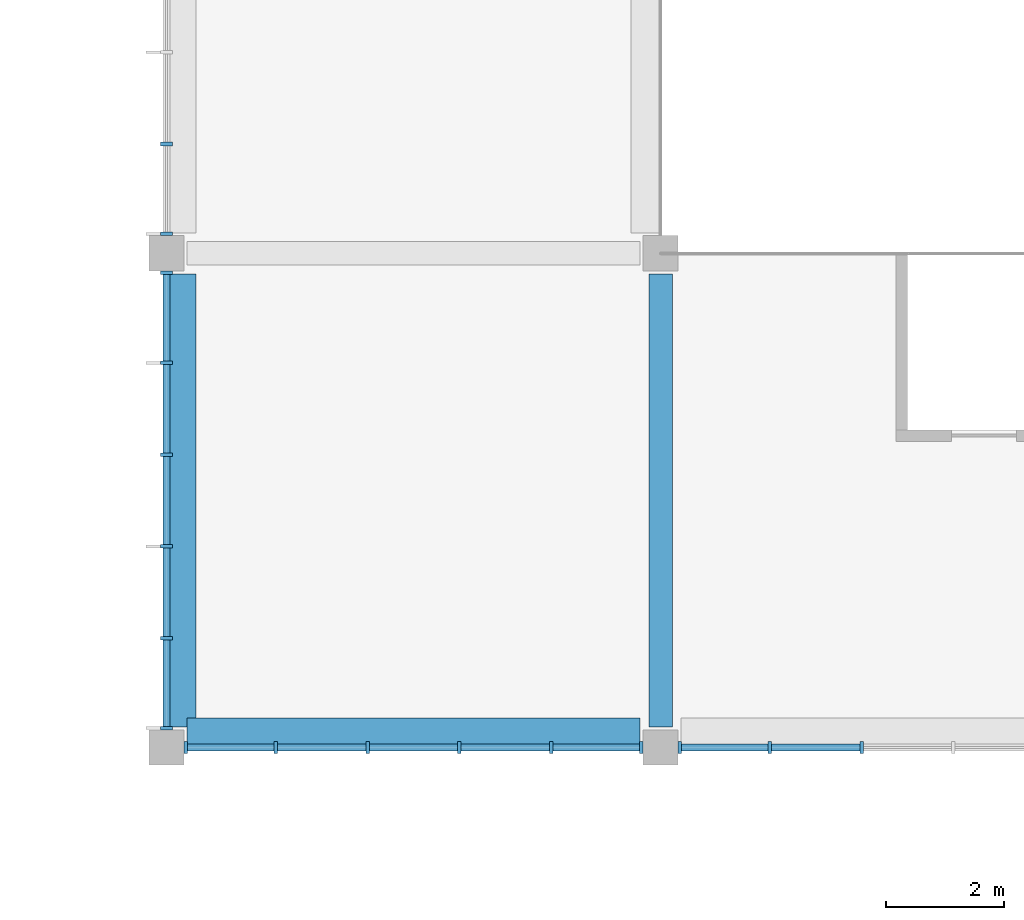
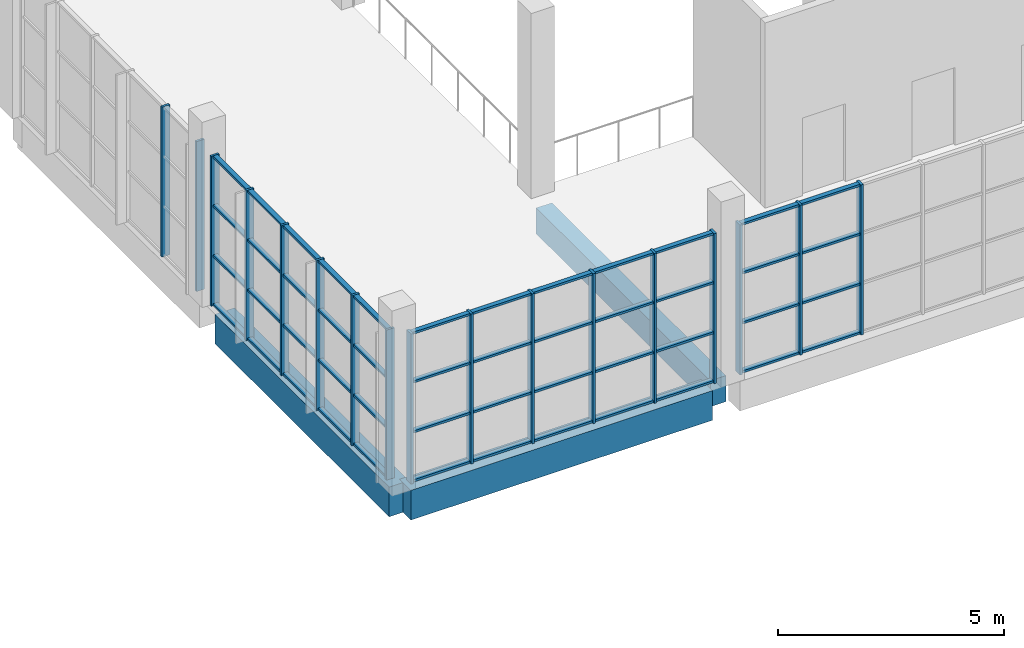
# One storey, part 6 of 59: 65 members, 3 beams, 4 elements without a shape of their own.
"""IFC4 building model written with IfcOpenShell, lengths in metres."""

from ifc_helpers import new_model, si_unit, direction, frame, origin, origin_2d, place, context, subcontext, project, spatial, rectangle, extrude, material, material_profile, profile_set, type_object, element, aggregate, save


model = new_model("IFC4")

# Units and contexts
model_context = context("Model", 3, precision=1e-05, world=origin(), true_north=direction((0.0, 1.0)))
body_context = subcontext(model_context, "Body", "Model", "MODEL_VIEW")
ifc_project = project(units=[si_unit("LENGTHUNIT", "METRE"), si_unit("AREAUNIT", "SQUARE_METRE"), si_unit("VOLUMEUNIT", "CUBIC_METRE"), si_unit("PLANEANGLEUNIT", "RADIAN"), si_unit("MASSUNIT", "GRAM", prefix="KILO")], contexts=[model_context])

# Site, building, storey
site_placement = place(None, origin())
site = spatial("IfcSite", under=ifc_project, at=site_placement, CompositionType="ELEMENT")
building_placement = place(site_placement, origin())
building = spatial("IfcBuilding", under=site, at=building_placement, Name="Almond Square Museum", CompositionType="ELEMENT")
storey_placement = place(building_placement, frame((0.0, 0.0, 25.0)))
storey = spatial("IfcBuildingStorey", under=building, at=storey_placement, Name="L04", CompositionType="ELEMENT", Elevation=25.0)

# Curtain wall, members
ifc_material_1 = material(Name="Aluminium and laminated glass", Category="aluminium")
curtain_wall_type = type_object("IfcCurtainWallType", Name="Unitised curtain wall 1500 module", PredefinedType="NOTDEFINED", material=ifc_material_1)
curtain_wall_1_placement = place(storey_placement, origin())
curtain_wall_1 = element("IfcCurtainWall", 1, at=curtain_wall_1_placement, inside=storey, type_object=curtain_wall_type, Name="Curtain wall CW-45", PredefinedType="NOTDEFINED")
ifc_material_2 = material(Name="Anodised aluminium", Category="aluminium")
ifc_material_profile_1 = material_profile(ifc_material_2, rectangle(XDim=0.199951171875, YDim=0.06005859375, at=origin_2d()))
ifc_profile_set_1 = profile_set([ifc_material_profile_1], Name="Anodised aluminium")
member_type_1 = type_object("IfcMemberType", Name="Aluminium mullion 60 x 200", PredefinedType="MULLION", material=ifc_profile_set_1)
member_1_placement = place(storey_placement, frame((73.199951171875, 75.929931640625, 0.0), z_axis=(0.0, 0.0, 1.0), x_axis=(-1.0, 0.0, 0.0)))
member_1 = element("IfcMember", 2, at=member_1_placement, type_object=member_type_1, Name="CW-45 mullion 1", PredefinedType="MULLION", context=body_context, shape_type="SweptSolid", body=[
    extrude(rectangle(XDim=0.199951171875, YDim=0.06005859375, at=origin_2d()), origin(), (0.0, 0.0, 1.0), 4.050048828125),
])
member_2_placement = place(storey_placement, frame((73.199951171875, 77.4599609375, 0.0), z_axis=(0.0, 0.0, 1.0), x_axis=(-1.0, 0.0, 0.0)))
member_2 = element("IfcMember", 3, at=member_2_placement, type_object=member_type_1, Name="CW-45 mullion 2", PredefinedType="MULLION", context=body_context, shape_type="SweptSolid", body=[
    extrude(rectangle(XDim=0.199951171875, YDim=0.06005859375, at=origin_2d()), origin(), (0.0, 0.0, 1.0), 4.050048828125),
])
aggregate(curtain_wall_1, [member_1, member_2])

curtain_wall_2_placement = place(storey_placement, origin())
curtain_wall_2 = element("IfcCurtainWall", 4, at=curtain_wall_2_placement, inside=storey, type_object=curtain_wall_type, Name="Curtain wall CW-46", PredefinedType="NOTDEFINED")
member_3_placement = place(storey_placement, frame((73.199951171875, 67.530029296875, 0.0), z_axis=(0.0, 0.0, 1.0), x_axis=(-1.0, 0.0, 0.0)))
member_3 = element("IfcMember", 5, at=member_3_placement, type_object=member_type_1, Name="CW-46 mullion 1", PredefinedType="MULLION", context=body_context, shape_type="SweptSolid", body=[
    extrude(rectangle(XDim=0.199951171875, YDim=0.06005859375, at=origin_2d()), origin(), (0.0, 0.0, 1.0), 4.050048828125),
])
member_4_placement = place(storey_placement, frame((73.199951171875, 69.06005859375, 0.0), z_axis=(0.0, 0.0, 1.0), x_axis=(-1.0, 0.0, 0.0)))
member_4 = element("IfcMember", 6, at=member_4_placement, type_object=member_type_1, Name="CW-46 mullion 2", PredefinedType="MULLION", context=body_context, shape_type="SweptSolid", body=[
    extrude(rectangle(XDim=0.199951171875, YDim=0.06005859375, at=origin_2d()), origin(), (0.0, 0.0, 1.0), 4.050048828125),
])
member_5_placement = place(storey_placement, frame((73.199951171875, 70.6201171875, 0.0), z_axis=(0.0, 0.0, 1.0), x_axis=(-1.0, 0.0, 0.0)))
member_5 = element("IfcMember", 7, at=member_5_placement, type_object=member_type_1, Name="CW-46 mullion 3", PredefinedType="MULLION", context=body_context, shape_type="SweptSolid", body=[
    extrude(rectangle(XDim=0.199951171875, YDim=0.06005859375, at=origin_2d()), origin(), (0.0, 0.0, 1.0), 4.050048828125),
])
member_6_placement = place(storey_placement, frame((73.199951171875, 72.179931640625, 0.0), z_axis=(0.0, 0.0, 1.0), x_axis=(-1.0, 0.0, 0.0)))
member_6 = element("IfcMember", 8, at=member_6_placement, type_object=member_type_1, Name="CW-46 mullion 4", PredefinedType="MULLION", context=body_context, shape_type="SweptSolid", body=[
    extrude(rectangle(XDim=0.199951171875, YDim=0.06005859375, at=origin_2d()), origin(), (0.0, 0.0, 1.0), 4.050048828125),
])
member_7_placement = place(storey_placement, frame((73.199951171875, 73.739990234375, 0.0), z_axis=(0.0, 0.0, 1.0), x_axis=(-1.0, 0.0, 0.0)))
member_7 = element("IfcMember", 9, at=member_7_placement, type_object=member_type_1, Name="CW-46 mullion 5", PredefinedType="MULLION", context=body_context, shape_type="SweptSolid", body=[
    extrude(rectangle(XDim=0.199951171875, YDim=0.06005859375, at=origin_2d()), origin(), (0.0, 0.0, 1.0), 4.050048828125),
])
member_8_placement = place(storey_placement, frame((73.199951171875, 75.27001953125, 0.0), z_axis=(0.0, 0.0, 1.0), x_axis=(-1.0, 0.0, 0.0)))
member_8 = element("IfcMember", 10, at=member_8_placement, type_object=member_type_1, Name="CW-46 mullion 6", PredefinedType="MULLION", context=body_context, shape_type="SweptSolid", body=[
    extrude(rectangle(XDim=0.199951171875, YDim=0.06005859375, at=origin_2d()), origin(), (0.0, 0.0, 1.0), 4.050048828125),
])

curtain_wall_3_placement = place(storey_placement, origin())
curtain_wall_3 = element("IfcCurtainWall", 11, at=curtain_wall_3_placement, inside=storey, type_object=curtain_wall_type, Name="Curtain wall CW-47", PredefinedType="NOTDEFINED")
member_9_placement = place(storey_placement, frame((73.530029296875, 67.199951171875, 0.0), z_axis=(0.0, 0.0, 1.0), x_axis=(0.0, 1.0, 0.0)))
member_9 = element("IfcMember", 12, at=member_9_placement, type_object=member_type_1, Name="CW-47 mullion 1", PredefinedType="MULLION", context=body_context, shape_type="SweptSolid", body=[
    extrude(rectangle(XDim=0.199951171875, YDim=0.06005859375, at=origin_2d()), origin(), (0.0, 0.0, 1.0), 4.050048828125),
])
member_10_placement = place(storey_placement, frame((75.06005859375, 67.199951171875, 0.0), z_axis=(0.0, 0.0, 1.0), x_axis=(0.0, 1.0, 0.0)))
member_10 = element("IfcMember", 13, at=member_10_placement, type_object=member_type_1, Name="CW-47 mullion 2", PredefinedType="MULLION", context=body_context, shape_type="SweptSolid", body=[
    extrude(rectangle(XDim=0.199951171875, YDim=0.06005859375, at=origin_2d()), origin(), (0.0, 0.0, 1.0), 4.050048828125),
])
member_11_placement = place(storey_placement, frame((76.6201171875, 67.199951171875, 0.0), z_axis=(0.0, 0.0, 1.0), x_axis=(0.0, 1.0, 0.0)))
member_11 = element("IfcMember", 14, at=member_11_placement, type_object=member_type_1, Name="CW-47 mullion 3", PredefinedType="MULLION", context=body_context, shape_type="SweptSolid", body=[
    extrude(rectangle(XDim=0.199951171875, YDim=0.06005859375, at=origin_2d()), origin(), (0.0, 0.0, 1.0), 4.050048828125),
])
member_12_placement = place(storey_placement, frame((78.179931640625, 67.199951171875, 0.0), z_axis=(0.0, 0.0, 1.0), x_axis=(0.0, 1.0, 0.0)))
member_12 = element("IfcMember", 15, at=member_12_placement, type_object=member_type_1, Name="CW-47 mullion 4", PredefinedType="MULLION", context=body_context, shape_type="SweptSolid", body=[
    extrude(rectangle(XDim=0.199951171875, YDim=0.06005859375, at=origin_2d()), origin(), (0.0, 0.0, 1.0), 4.050048828125),
])
member_13_placement = place(storey_placement, frame((79.739990234375, 67.199951171875, 0.0), z_axis=(0.0, 0.0, 1.0), x_axis=(0.0, 1.0, 0.0)))
member_13 = element("IfcMember", 16, at=member_13_placement, type_object=member_type_1, Name="CW-47 mullion 5", PredefinedType="MULLION", context=body_context, shape_type="SweptSolid", body=[
    extrude(rectangle(XDim=0.199951171875, YDim=0.06005859375, at=origin_2d()), origin(), (0.0, 0.0, 1.0), 4.050048828125),
])
member_14_placement = place(storey_placement, frame((81.27001953125, 67.199951171875, 0.0), z_axis=(0.0, 0.0, 1.0), x_axis=(0.0, 1.0, 0.0)))
member_14 = element("IfcMember", 17, at=member_14_placement, type_object=member_type_1, Name="CW-47 mullion 6", PredefinedType="MULLION", context=body_context, shape_type="SweptSolid", body=[
    extrude(rectangle(XDim=0.199951171875, YDim=0.06005859375, at=origin_2d()), origin(), (0.0, 0.0, 1.0), 4.050048828125),
])

curtain_wall_4_placement = place(storey_placement, origin())
curtain_wall_4 = element("IfcCurtainWall", 18, at=curtain_wall_4_placement, inside=storey, type_object=curtain_wall_type, Name="Curtain wall CW-48", PredefinedType="NOTDEFINED")
member_15_placement = place(storey_placement, frame((81.929931640625, 67.199951171875, 0.0), z_axis=(0.0, 0.0, 1.0), x_axis=(0.0, 1.0, 0.0)))
member_15 = element("IfcMember", 19, at=member_15_placement, type_object=member_type_1, Name="CW-48 mullion 1", PredefinedType="MULLION", context=body_context, shape_type="SweptSolid", body=[
    extrude(rectangle(XDim=0.199951171875, YDim=0.06005859375, at=origin_2d()), origin(), (0.0, 0.0, 1.0), 4.050048828125),
])
member_16_placement = place(storey_placement, frame((83.4599609375, 67.199951171875, 0.0), z_axis=(0.0, 0.0, 1.0), x_axis=(0.0, 1.0, 0.0)))
member_16 = element("IfcMember", 20, at=member_16_placement, type_object=member_type_1, Name="CW-48 mullion 2", PredefinedType="MULLION", context=body_context, shape_type="SweptSolid", body=[
    extrude(rectangle(XDim=0.199951171875, YDim=0.06005859375, at=origin_2d()), origin(), (0.0, 0.0, 1.0), 4.050048828125),
])
member_17_placement = place(storey_placement, frame((85.02001953125, 67.199951171875, 0.0), z_axis=(0.0, 0.0, 1.0), x_axis=(0.0, 1.0, 0.0)))
member_17 = element("IfcMember", 21, at=member_17_placement, type_object=member_type_1, Name="CW-48 mullion 3", PredefinedType="MULLION", context=body_context, shape_type="SweptSolid", body=[
    extrude(rectangle(XDim=0.199951171875, YDim=0.06005859375, at=origin_2d()), origin(), (0.0, 0.0, 1.0), 4.050048828125),
])

# Member
ifc_material_3 = material(Name="Anodised aluminium", Category="aluminium")
ifc_material_profile_2 = material_profile(ifc_material_3, rectangle(XDim=0.1201171875, YDim=0.06005859375, at=origin_2d()))
ifc_profile_set_2 = profile_set([ifc_material_profile_2], Name="Anodised aluminium")
member_type_2 = type_object("IfcMemberType", Name="Aluminium transom 60 x 120", PredefinedType="USERDEFINED", material=ifc_profile_set_2)
member_18_placement = place(storey_placement, frame((73.199951171875, 67.56005859375, 0.030029296875), z_axis=(0.0, 1.0, 0.0), x_axis=(-1.0, 0.0, 0.0)))
member_18 = element("IfcMember", 22, at=member_18_placement, type_object=member_type_2, Name="CW-46 transom 1.1", ObjectType="TRANSOM", PredefinedType="USERDEFINED", context=body_context, shape_type="SweptSolid", body=[
    extrude(rectangle(XDim=0.1201171875, YDim=0.06005859375, at=origin_2d()), origin(), (0.0, 0.0, 1.0), 1.469970703125),
])

member_19_placement = place(storey_placement, frame((73.199951171875, 67.56005859375, 1.35009765625), z_axis=(0.0, 1.0, 0.0), x_axis=(-1.0, 0.0, 0.0)))
member_19 = element("IfcMember", 23, at=member_19_placement, type_object=member_type_2, Name="CW-46 transom 1.2", ObjectType="TRANSOM", PredefinedType="USERDEFINED", context=body_context, shape_type="SweptSolid", body=[
    extrude(rectangle(XDim=0.1201171875, YDim=0.06005859375, at=origin_2d()), origin(), (0.0, 0.0, 1.0), 1.469970703125),
])

member_20_placement = place(storey_placement, frame((73.199951171875, 67.56005859375, 2.699951171875), z_axis=(0.0, 1.0, 0.0), x_axis=(-1.0, 0.0, 0.0)))
member_20 = element("IfcMember", 24, at=member_20_placement, type_object=member_type_2, Name="CW-46 transom 1.3", ObjectType="TRANSOM", PredefinedType="USERDEFINED", context=body_context, shape_type="SweptSolid", body=[
    extrude(rectangle(XDim=0.1201171875, YDim=0.06005859375, at=origin_2d()), origin(), (0.0, 0.0, 1.0), 1.469970703125),
])

member_21_placement = place(storey_placement, frame((73.199951171875, 67.56005859375, 4.02001953125), z_axis=(0.0, 1.0, 0.0), x_axis=(-1.0, 0.0, 0.0)))
member_21 = element("IfcMember", 25, at=member_21_placement, type_object=member_type_2, Name="CW-46 transom 1.4", ObjectType="TRANSOM", PredefinedType="USERDEFINED", context=body_context, shape_type="SweptSolid", body=[
    extrude(rectangle(XDim=0.1201171875, YDim=0.06005859375, at=origin_2d()), origin(), (0.0, 0.0, 1.0), 1.469970703125),
])

member_22_placement = place(storey_placement, frame((73.199951171875, 69.090087890625, 0.030029296875), z_axis=(0.0, 1.0, 0.0), x_axis=(-1.0, 0.0, 0.0)))
member_22 = element("IfcMember", 26, at=member_22_placement, type_object=member_type_2, Name="CW-46 transom 2.1", ObjectType="TRANSOM", PredefinedType="USERDEFINED", context=body_context, shape_type="SweptSolid", body=[
    extrude(rectangle(XDim=0.1201171875, YDim=0.06005859375, at=origin_2d()), origin(), (0.0, 0.0, 1.0), 1.5),
])

member_23_placement = place(storey_placement, frame((73.199951171875, 69.090087890625, 1.35009765625), z_axis=(0.0, 1.0, 0.0), x_axis=(-1.0, 0.0, 0.0)))
member_23 = element("IfcMember", 27, at=member_23_placement, type_object=member_type_2, Name="CW-46 transom 2.2", ObjectType="TRANSOM", PredefinedType="USERDEFINED", context=body_context, shape_type="SweptSolid", body=[
    extrude(rectangle(XDim=0.1201171875, YDim=0.06005859375, at=origin_2d()), origin(), (0.0, 0.0, 1.0), 1.5),
])

member_24_placement = place(storey_placement, frame((73.199951171875, 69.090087890625, 2.699951171875), z_axis=(0.0, 1.0, 0.0), x_axis=(-1.0, 0.0, 0.0)))
member_24 = element("IfcMember", 28, at=member_24_placement, type_object=member_type_2, Name="CW-46 transom 2.3", ObjectType="TRANSOM", PredefinedType="USERDEFINED", context=body_context, shape_type="SweptSolid", body=[
    extrude(rectangle(XDim=0.1201171875, YDim=0.06005859375, at=origin_2d()), origin(), (0.0, 0.0, 1.0), 1.5),
])

member_25_placement = place(storey_placement, frame((73.199951171875, 69.090087890625, 4.02001953125), z_axis=(0.0, 1.0, 0.0), x_axis=(-1.0, 0.0, 0.0)))
member_25 = element("IfcMember", 29, at=member_25_placement, type_object=member_type_2, Name="CW-46 transom 2.4", ObjectType="TRANSOM", PredefinedType="USERDEFINED", context=body_context, shape_type="SweptSolid", body=[
    extrude(rectangle(XDim=0.1201171875, YDim=0.06005859375, at=origin_2d()), origin(), (0.0, 0.0, 1.0), 1.5),
])

member_26_placement = place(storey_placement, frame((73.199951171875, 70.64990234375, 0.030029296875), z_axis=(0.0, 1.0, 0.0), x_axis=(-1.0, 0.0, 0.0)))
member_26 = element("IfcMember", 30, at=member_26_placement, type_object=member_type_2, Name="CW-46 transom 3.1", ObjectType="TRANSOM", PredefinedType="USERDEFINED", context=body_context, shape_type="SweptSolid", body=[
    extrude(rectangle(XDim=0.1201171875, YDim=0.06005859375, at=origin_2d()), origin(), (0.0, 0.0, 1.0), 1.5),
])

member_27_placement = place(storey_placement, frame((73.199951171875, 70.64990234375, 1.35009765625), z_axis=(0.0, 1.0, 0.0), x_axis=(-1.0, 0.0, 0.0)))
member_27 = element("IfcMember", 31, at=member_27_placement, type_object=member_type_2, Name="CW-46 transom 3.2", ObjectType="TRANSOM", PredefinedType="USERDEFINED", context=body_context, shape_type="SweptSolid", body=[
    extrude(rectangle(XDim=0.1201171875, YDim=0.06005859375, at=origin_2d()), origin(), (0.0, 0.0, 1.0), 1.5),
])

member_28_placement = place(storey_placement, frame((73.199951171875, 70.64990234375, 2.699951171875), z_axis=(0.0, 1.0, 0.0), x_axis=(-1.0, 0.0, 0.0)))
member_28 = element("IfcMember", 32, at=member_28_placement, type_object=member_type_2, Name="CW-46 transom 3.3", ObjectType="TRANSOM", PredefinedType="USERDEFINED", context=body_context, shape_type="SweptSolid", body=[
    extrude(rectangle(XDim=0.1201171875, YDim=0.06005859375, at=origin_2d()), origin(), (0.0, 0.0, 1.0), 1.5),
])

member_29_placement = place(storey_placement, frame((73.199951171875, 70.64990234375, 4.02001953125), z_axis=(0.0, 1.0, 0.0), x_axis=(-1.0, 0.0, 0.0)))
member_29 = element("IfcMember", 33, at=member_29_placement, type_object=member_type_2, Name="CW-46 transom 3.4", ObjectType="TRANSOM", PredefinedType="USERDEFINED", context=body_context, shape_type="SweptSolid", body=[
    extrude(rectangle(XDim=0.1201171875, YDim=0.06005859375, at=origin_2d()), origin(), (0.0, 0.0, 1.0), 1.5),
])

member_30_placement = place(storey_placement, frame((73.199951171875, 72.2099609375, 0.030029296875), z_axis=(0.0, 1.0, 0.0), x_axis=(-1.0, 0.0, 0.0)))
member_30 = element("IfcMember", 34, at=member_30_placement, type_object=member_type_2, Name="CW-46 transom 4.1", ObjectType="TRANSOM", PredefinedType="USERDEFINED", context=body_context, shape_type="SweptSolid", body=[
    extrude(rectangle(XDim=0.1201171875, YDim=0.06005859375, at=origin_2d()), origin(), (0.0, 0.0, 1.0), 1.5),
])

member_31_placement = place(storey_placement, frame((73.199951171875, 72.2099609375, 1.35009765625), z_axis=(0.0, 1.0, 0.0), x_axis=(-1.0, 0.0, 0.0)))
member_31 = element("IfcMember", 35, at=member_31_placement, type_object=member_type_2, Name="CW-46 transom 4.2", ObjectType="TRANSOM", PredefinedType="USERDEFINED", context=body_context, shape_type="SweptSolid", body=[
    extrude(rectangle(XDim=0.1201171875, YDim=0.06005859375, at=origin_2d()), origin(), (0.0, 0.0, 1.0), 1.5),
])

member_32_placement = place(storey_placement, frame((73.199951171875, 72.2099609375, 2.699951171875), z_axis=(0.0, 1.0, 0.0), x_axis=(-1.0, 0.0, 0.0)))
member_32 = element("IfcMember", 36, at=member_32_placement, type_object=member_type_2, Name="CW-46 transom 4.3", ObjectType="TRANSOM", PredefinedType="USERDEFINED", context=body_context, shape_type="SweptSolid", body=[
    extrude(rectangle(XDim=0.1201171875, YDim=0.06005859375, at=origin_2d()), origin(), (0.0, 0.0, 1.0), 1.5),
])

member_33_placement = place(storey_placement, frame((73.199951171875, 72.2099609375, 4.02001953125), z_axis=(0.0, 1.0, 0.0), x_axis=(-1.0, 0.0, 0.0)))
member_33 = element("IfcMember", 37, at=member_33_placement, type_object=member_type_2, Name="CW-46 transom 4.4", ObjectType="TRANSOM", PredefinedType="USERDEFINED", context=body_context, shape_type="SweptSolid", body=[
    extrude(rectangle(XDim=0.1201171875, YDim=0.06005859375, at=origin_2d()), origin(), (0.0, 0.0, 1.0), 1.5),
])

member_34_placement = place(storey_placement, frame((73.199951171875, 73.77001953125, 0.030029296875), z_axis=(0.0, 1.0, 0.0), x_axis=(-1.0, 0.0, 0.0)))
member_34 = element("IfcMember", 38, at=member_34_placement, type_object=member_type_2, Name="CW-46 transom 5.1", ObjectType="TRANSOM", PredefinedType="USERDEFINED", context=body_context, shape_type="SweptSolid", body=[
    extrude(rectangle(XDim=0.1201171875, YDim=0.06005859375, at=origin_2d()), origin(), (0.0, 0.0, 1.0), 1.469970703125),
])

member_35_placement = place(storey_placement, frame((73.199951171875, 73.77001953125, 1.35009765625), z_axis=(0.0, 1.0, 0.0), x_axis=(-1.0, 0.0, 0.0)))
member_35 = element("IfcMember", 39, at=member_35_placement, type_object=member_type_2, Name="CW-46 transom 5.2", ObjectType="TRANSOM", PredefinedType="USERDEFINED", context=body_context, shape_type="SweptSolid", body=[
    extrude(rectangle(XDim=0.1201171875, YDim=0.06005859375, at=origin_2d()), origin(), (0.0, 0.0, 1.0), 1.469970703125),
])

member_36_placement = place(storey_placement, frame((73.199951171875, 73.77001953125, 2.699951171875), z_axis=(0.0, 1.0, 0.0), x_axis=(-1.0, 0.0, 0.0)))
member_36 = element("IfcMember", 40, at=member_36_placement, type_object=member_type_2, Name="CW-46 transom 5.3", ObjectType="TRANSOM", PredefinedType="USERDEFINED", context=body_context, shape_type="SweptSolid", body=[
    extrude(rectangle(XDim=0.1201171875, YDim=0.06005859375, at=origin_2d()), origin(), (0.0, 0.0, 1.0), 1.469970703125),
])

member_37_placement = place(storey_placement, frame((73.199951171875, 73.77001953125, 4.02001953125), z_axis=(0.0, 1.0, 0.0), x_axis=(-1.0, 0.0, 0.0)))
member_37 = element("IfcMember", 41, at=member_37_placement, type_object=member_type_2, Name="CW-46 transom 5.4", ObjectType="TRANSOM", PredefinedType="USERDEFINED", context=body_context, shape_type="SweptSolid", body=[
    extrude(rectangle(XDim=0.1201171875, YDim=0.06005859375, at=origin_2d()), origin(), (0.0, 0.0, 1.0), 1.469970703125),
])

aggregate(curtain_wall_2, [member_3, member_4, member_5, member_6, member_7, member_8, member_18, member_19, member_20, member_21, member_22, member_23, member_24, member_25, member_26, member_27, member_28, member_29, member_30, member_31, member_32, member_33, member_34, member_35, member_36, member_37])

member_38_placement = place(storey_placement, frame((73.56005859375, 67.199951171875, 0.030029296875), z_axis=(1.0, 0.0, 0.0), x_axis=(0.0, 1.0, 0.0)))
member_38 = element("IfcMember", 42, at=member_38_placement, type_object=member_type_2, Name="CW-47 transom 1.1", ObjectType="TRANSOM", PredefinedType="USERDEFINED", context=body_context, shape_type="SweptSolid", body=[
    extrude(rectangle(XDim=0.1201171875, YDim=0.06005859375, at=origin_2d()), origin(), (0.0, 0.0, 1.0), 1.469970703125),
])

member_39_placement = place(storey_placement, frame((73.56005859375, 67.199951171875, 1.35009765625), z_axis=(1.0, 0.0, 0.0), x_axis=(0.0, 1.0, 0.0)))
member_39 = element("IfcMember", 43, at=member_39_placement, type_object=member_type_2, Name="CW-47 transom 1.2", ObjectType="TRANSOM", PredefinedType="USERDEFINED", context=body_context, shape_type="SweptSolid", body=[
    extrude(rectangle(XDim=0.1201171875, YDim=0.06005859375, at=origin_2d()), origin(), (0.0, 0.0, 1.0), 1.469970703125),
])

member_40_placement = place(storey_placement, frame((73.56005859375, 67.199951171875, 2.699951171875), z_axis=(1.0, 0.0, 0.0), x_axis=(0.0, 1.0, 0.0)))
member_40 = element("IfcMember", 44, at=member_40_placement, type_object=member_type_2, Name="CW-47 transom 1.3", ObjectType="TRANSOM", PredefinedType="USERDEFINED", context=body_context, shape_type="SweptSolid", body=[
    extrude(rectangle(XDim=0.1201171875, YDim=0.06005859375, at=origin_2d()), origin(), (0.0, 0.0, 1.0), 1.469970703125),
])

member_41_placement = place(storey_placement, frame((73.56005859375, 67.199951171875, 4.02001953125), z_axis=(1.0, 0.0, 0.0), x_axis=(0.0, 1.0, 0.0)))
member_41 = element("IfcMember", 45, at=member_41_placement, type_object=member_type_2, Name="CW-47 transom 1.4", ObjectType="TRANSOM", PredefinedType="USERDEFINED", context=body_context, shape_type="SweptSolid", body=[
    extrude(rectangle(XDim=0.1201171875, YDim=0.06005859375, at=origin_2d()), origin(), (0.0, 0.0, 1.0), 1.469970703125),
])

member_42_placement = place(storey_placement, frame((75.090087890625, 67.199951171875, 0.030029296875), z_axis=(1.0, 0.0, 0.0), x_axis=(0.0, 1.0, 0.0)))
member_42 = element("IfcMember", 46, at=member_42_placement, type_object=member_type_2, Name="CW-47 transom 2.1", ObjectType="TRANSOM", PredefinedType="USERDEFINED", context=body_context, shape_type="SweptSolid", body=[
    extrude(rectangle(XDim=0.1201171875, YDim=0.06005859375, at=origin_2d()), origin(), (0.0, 0.0, 1.0), 1.5),
])

member_43_placement = place(storey_placement, frame((75.090087890625, 67.199951171875, 1.35009765625), z_axis=(1.0, 0.0, 0.0), x_axis=(0.0, 1.0, 0.0)))
member_43 = element("IfcMember", 47, at=member_43_placement, type_object=member_type_2, Name="CW-47 transom 2.2", ObjectType="TRANSOM", PredefinedType="USERDEFINED", context=body_context, shape_type="SweptSolid", body=[
    extrude(rectangle(XDim=0.1201171875, YDim=0.06005859375, at=origin_2d()), origin(), (0.0, 0.0, 1.0), 1.5),
])

member_44_placement = place(storey_placement, frame((75.090087890625, 67.199951171875, 2.699951171875), z_axis=(1.0, 0.0, 0.0), x_axis=(0.0, 1.0, 0.0)))
member_44 = element("IfcMember", 48, at=member_44_placement, type_object=member_type_2, Name="CW-47 transom 2.3", ObjectType="TRANSOM", PredefinedType="USERDEFINED", context=body_context, shape_type="SweptSolid", body=[
    extrude(rectangle(XDim=0.1201171875, YDim=0.06005859375, at=origin_2d()), origin(), (0.0, 0.0, 1.0), 1.5),
])

member_45_placement = place(storey_placement, frame((75.090087890625, 67.199951171875, 4.02001953125), z_axis=(1.0, 0.0, 0.0), x_axis=(0.0, 1.0, 0.0)))
member_45 = element("IfcMember", 49, at=member_45_placement, type_object=member_type_2, Name="CW-47 transom 2.4", ObjectType="TRANSOM", PredefinedType="USERDEFINED", context=body_context, shape_type="SweptSolid", body=[
    extrude(rectangle(XDim=0.1201171875, YDim=0.06005859375, at=origin_2d()), origin(), (0.0, 0.0, 1.0), 1.5),
])

member_46_placement = place(storey_placement, frame((76.64990234375, 67.199951171875, 0.030029296875), z_axis=(1.0, 0.0, 0.0), x_axis=(0.0, 1.0, 0.0)))
member_46 = element("IfcMember", 50, at=member_46_placement, type_object=member_type_2, Name="CW-47 transom 3.1", ObjectType="TRANSOM", PredefinedType="USERDEFINED", context=body_context, shape_type="SweptSolid", body=[
    extrude(rectangle(XDim=0.1201171875, YDim=0.06005859375, at=origin_2d()), origin(), (0.0, 0.0, 1.0), 1.5),
])

member_47_placement = place(storey_placement, frame((76.64990234375, 67.199951171875, 1.35009765625), z_axis=(1.0, 0.0, 0.0), x_axis=(0.0, 1.0, 0.0)))
member_47 = element("IfcMember", 51, at=member_47_placement, type_object=member_type_2, Name="CW-47 transom 3.2", ObjectType="TRANSOM", PredefinedType="USERDEFINED", context=body_context, shape_type="SweptSolid", body=[
    extrude(rectangle(XDim=0.1201171875, YDim=0.06005859375, at=origin_2d()), origin(), (0.0, 0.0, 1.0), 1.5),
])

member_48_placement = place(storey_placement, frame((76.64990234375, 67.199951171875, 2.699951171875), z_axis=(1.0, 0.0, 0.0), x_axis=(0.0, 1.0, 0.0)))
member_48 = element("IfcMember", 52, at=member_48_placement, type_object=member_type_2, Name="CW-47 transom 3.3", ObjectType="TRANSOM", PredefinedType="USERDEFINED", context=body_context, shape_type="SweptSolid", body=[
    extrude(rectangle(XDim=0.1201171875, YDim=0.06005859375, at=origin_2d()), origin(), (0.0, 0.0, 1.0), 1.5),
])

member_49_placement = place(storey_placement, frame((76.64990234375, 67.199951171875, 4.02001953125), z_axis=(1.0, 0.0, 0.0), x_axis=(0.0, 1.0, 0.0)))
member_49 = element("IfcMember", 53, at=member_49_placement, type_object=member_type_2, Name="CW-47 transom 3.4", ObjectType="TRANSOM", PredefinedType="USERDEFINED", context=body_context, shape_type="SweptSolid", body=[
    extrude(rectangle(XDim=0.1201171875, YDim=0.06005859375, at=origin_2d()), origin(), (0.0, 0.0, 1.0), 1.5),
])

member_50_placement = place(storey_placement, frame((78.2099609375, 67.199951171875, 0.030029296875), z_axis=(1.0, 0.0, 0.0), x_axis=(0.0, 1.0, 0.0)))
member_50 = element("IfcMember", 54, at=member_50_placement, type_object=member_type_2, Name="CW-47 transom 4.1", ObjectType="TRANSOM", PredefinedType="USERDEFINED", context=body_context, shape_type="SweptSolid", body=[
    extrude(rectangle(XDim=0.1201171875, YDim=0.06005859375, at=origin_2d()), origin(), (0.0, 0.0, 1.0), 1.5),
])

member_51_placement = place(storey_placement, frame((78.2099609375, 67.199951171875, 1.35009765625), z_axis=(1.0, 0.0, 0.0), x_axis=(0.0, 1.0, 0.0)))
member_51 = element("IfcMember", 55, at=member_51_placement, type_object=member_type_2, Name="CW-47 transom 4.2", ObjectType="TRANSOM", PredefinedType="USERDEFINED", context=body_context, shape_type="SweptSolid", body=[
    extrude(rectangle(XDim=0.1201171875, YDim=0.06005859375, at=origin_2d()), origin(), (0.0, 0.0, 1.0), 1.5),
])

member_52_placement = place(storey_placement, frame((78.2099609375, 67.199951171875, 2.699951171875), z_axis=(1.0, 0.0, 0.0), x_axis=(0.0, 1.0, 0.0)))
member_52 = element("IfcMember", 56, at=member_52_placement, type_object=member_type_2, Name="CW-47 transom 4.3", ObjectType="TRANSOM", PredefinedType="USERDEFINED", context=body_context, shape_type="SweptSolid", body=[
    extrude(rectangle(XDim=0.1201171875, YDim=0.06005859375, at=origin_2d()), origin(), (0.0, 0.0, 1.0), 1.5),
])

member_53_placement = place(storey_placement, frame((78.2099609375, 67.199951171875, 4.02001953125), z_axis=(1.0, 0.0, 0.0), x_axis=(0.0, 1.0, 0.0)))
member_53 = element("IfcMember", 57, at=member_53_placement, type_object=member_type_2, Name="CW-47 transom 4.4", ObjectType="TRANSOM", PredefinedType="USERDEFINED", context=body_context, shape_type="SweptSolid", body=[
    extrude(rectangle(XDim=0.1201171875, YDim=0.06005859375, at=origin_2d()), origin(), (0.0, 0.0, 1.0), 1.5),
])

member_54_placement = place(storey_placement, frame((79.77001953125, 67.199951171875, 0.030029296875), z_axis=(1.0, 0.0, 0.0), x_axis=(0.0, 1.0, 0.0)))
member_54 = element("IfcMember", 58, at=member_54_placement, type_object=member_type_2, Name="CW-47 transom 5.1", ObjectType="TRANSOM", PredefinedType="USERDEFINED", context=body_context, shape_type="SweptSolid", body=[
    extrude(rectangle(XDim=0.1201171875, YDim=0.06005859375, at=origin_2d()), origin(), (0.0, 0.0, 1.0), 1.469970703125),
])

member_55_placement = place(storey_placement, frame((79.77001953125, 67.199951171875, 1.35009765625), z_axis=(1.0, 0.0, 0.0), x_axis=(0.0, 1.0, 0.0)))
member_55 = element("IfcMember", 59, at=member_55_placement, type_object=member_type_2, Name="CW-47 transom 5.2", ObjectType="TRANSOM", PredefinedType="USERDEFINED", context=body_context, shape_type="SweptSolid", body=[
    extrude(rectangle(XDim=0.1201171875, YDim=0.06005859375, at=origin_2d()), origin(), (0.0, 0.0, 1.0), 1.469970703125),
])

member_56_placement = place(storey_placement, frame((79.77001953125, 67.199951171875, 2.699951171875), z_axis=(1.0, 0.0, 0.0), x_axis=(0.0, 1.0, 0.0)))
member_56 = element("IfcMember", 60, at=member_56_placement, type_object=member_type_2, Name="CW-47 transom 5.3", ObjectType="TRANSOM", PredefinedType="USERDEFINED", context=body_context, shape_type="SweptSolid", body=[
    extrude(rectangle(XDim=0.1201171875, YDim=0.06005859375, at=origin_2d()), origin(), (0.0, 0.0, 1.0), 1.469970703125),
])

member_57_placement = place(storey_placement, frame((79.77001953125, 67.199951171875, 4.02001953125), z_axis=(1.0, 0.0, 0.0), x_axis=(0.0, 1.0, 0.0)))
member_57 = element("IfcMember", 61, at=member_57_placement, type_object=member_type_2, Name="CW-47 transom 5.4", ObjectType="TRANSOM", PredefinedType="USERDEFINED", context=body_context, shape_type="SweptSolid", body=[
    extrude(rectangle(XDim=0.1201171875, YDim=0.06005859375, at=origin_2d()), origin(), (0.0, 0.0, 1.0), 1.469970703125),
])

aggregate(curtain_wall_3, [member_9, member_10, member_11, member_12, member_13, member_14, member_38, member_39, member_40, member_41, member_42, member_43, member_44, member_45, member_46, member_47, member_48, member_49, member_50, member_51, member_52, member_53, member_54, member_55, member_56, member_57])

member_58_placement = place(storey_placement, frame((81.9599609375, 67.199951171875, 0.030029296875), z_axis=(1.0, 0.0, 0.0), x_axis=(0.0, 1.0, 0.0)))
member_58 = element("IfcMember", 62, at=member_58_placement, type_object=member_type_2, Name="CW-48 transom 1.1", ObjectType="TRANSOM", PredefinedType="USERDEFINED", context=body_context, shape_type="SweptSolid", body=[
    extrude(rectangle(XDim=0.1201171875, YDim=0.06005859375, at=origin_2d()), origin(), (0.0, 0.0, 1.0), 1.469970703125),
])

member_59_placement = place(storey_placement, frame((81.9599609375, 67.199951171875, 1.35009765625), z_axis=(1.0, 0.0, 0.0), x_axis=(0.0, 1.0, 0.0)))
member_59 = element("IfcMember", 63, at=member_59_placement, type_object=member_type_2, Name="CW-48 transom 1.2", ObjectType="TRANSOM", PredefinedType="USERDEFINED", context=body_context, shape_type="SweptSolid", body=[
    extrude(rectangle(XDim=0.1201171875, YDim=0.06005859375, at=origin_2d()), origin(), (0.0, 0.0, 1.0), 1.469970703125),
])

member_60_placement = place(storey_placement, frame((81.9599609375, 67.199951171875, 2.699951171875), z_axis=(1.0, 0.0, 0.0), x_axis=(0.0, 1.0, 0.0)))
member_60 = element("IfcMember", 64, at=member_60_placement, type_object=member_type_2, Name="CW-48 transom 1.3", ObjectType="TRANSOM", PredefinedType="USERDEFINED", context=body_context, shape_type="SweptSolid", body=[
    extrude(rectangle(XDim=0.1201171875, YDim=0.06005859375, at=origin_2d()), origin(), (0.0, 0.0, 1.0), 1.469970703125),
])

member_61_placement = place(storey_placement, frame((81.9599609375, 67.199951171875, 4.02001953125), z_axis=(1.0, 0.0, 0.0), x_axis=(0.0, 1.0, 0.0)))
member_61 = element("IfcMember", 65, at=member_61_placement, type_object=member_type_2, Name="CW-48 transom 1.4", ObjectType="TRANSOM", PredefinedType="USERDEFINED", context=body_context, shape_type="SweptSolid", body=[
    extrude(rectangle(XDim=0.1201171875, YDim=0.06005859375, at=origin_2d()), origin(), (0.0, 0.0, 1.0), 1.469970703125),
])

member_62_placement = place(storey_placement, frame((83.489990234375, 67.199951171875, 0.030029296875), z_axis=(1.0, 0.0, 0.0), x_axis=(0.0, 1.0, 0.0)))
member_62 = element("IfcMember", 66, at=member_62_placement, type_object=member_type_2, Name="CW-48 transom 2.1", ObjectType="TRANSOM", PredefinedType="USERDEFINED", context=body_context, shape_type="SweptSolid", body=[
    extrude(rectangle(XDim=0.1201171875, YDim=0.06005859375, at=origin_2d()), origin(), (0.0, 0.0, 1.0), 1.5),
])

member_63_placement = place(storey_placement, frame((83.489990234375, 67.199951171875, 1.35009765625), z_axis=(1.0, 0.0, 0.0), x_axis=(0.0, 1.0, 0.0)))
member_63 = element("IfcMember", 67, at=member_63_placement, type_object=member_type_2, Name="CW-48 transom 2.2", ObjectType="TRANSOM", PredefinedType="USERDEFINED", context=body_context, shape_type="SweptSolid", body=[
    extrude(rectangle(XDim=0.1201171875, YDim=0.06005859375, at=origin_2d()), origin(), (0.0, 0.0, 1.0), 1.5),
])

member_64_placement = place(storey_placement, frame((83.489990234375, 67.199951171875, 2.699951171875), z_axis=(1.0, 0.0, 0.0), x_axis=(0.0, 1.0, 0.0)))
member_64 = element("IfcMember", 68, at=member_64_placement, type_object=member_type_2, Name="CW-48 transom 2.3", ObjectType="TRANSOM", PredefinedType="USERDEFINED", context=body_context, shape_type="SweptSolid", body=[
    extrude(rectangle(XDim=0.1201171875, YDim=0.06005859375, at=origin_2d()), origin(), (0.0, 0.0, 1.0), 1.5),
])

member_65_placement = place(storey_placement, frame((83.489990234375, 67.199951171875, 4.02001953125), z_axis=(1.0, 0.0, 0.0), x_axis=(0.0, 1.0, 0.0)))
member_65 = element("IfcMember", 69, at=member_65_placement, type_object=member_type_2, Name="CW-48 transom 2.4", ObjectType="TRANSOM", PredefinedType="USERDEFINED", context=body_context, shape_type="SweptSolid", body=[
    extrude(rectangle(XDim=0.1201171875, YDim=0.06005859375, at=origin_2d()), origin(), (0.0, 0.0, 1.0), 1.5),
])

aggregate(curtain_wall_4, [member_15, member_16, member_17, member_58, member_59, member_60, member_61, member_62, member_63, member_64, member_65])

# Beams
ifc_material_4 = material(Name="Concrete C40/50", Category="concrete")
ifc_material_profile_3 = material_profile(ifc_material_4, rectangle(XDim=0.39990234375, YDim=0.699951171875, at=origin_2d()))
ifc_profile_set_3 = profile_set([ifc_material_profile_3], Name="Concrete C40/50")
beam_type_1 = type_object("IfcBeamType", Name="RC beam 400 x 700 C40/50", PredefinedType="BEAM", material=ifc_profile_set_3)
beam_placement = place(storey_placement, frame((81.60009765625, 67.550048828125, -0.60009765625), z_axis=(0.0, 1.0, 0.0), x_axis=(-1.0, 0.0, 0.0)))
element("IfcBeam", 70, at=beam_placement, inside=storey, type_object=beam_type_1, Name="Beam 11 I-J L04", PredefinedType="BEAM", context=body_context, shape_type="SweptSolid", body=[
    extrude(rectangle(XDim=0.39990234375, YDim=0.699951171875, at=origin_2d()), origin(), (0.0, 0.0, 1.0), 7.699951171875),
])
ifc_material_5 = material(Name="Concrete C40/50", Category="concrete")
ifc_material_profile_4 = material_profile(ifc_material_5, rectangle(XDim=0.5, YDim=0.800048828125, at=origin_2d()))
ifc_profile_set_4 = profile_set([ifc_material_profile_4], Name="Concrete C40/50")
beam_type_2 = type_object("IfcBeamType", Name="RC edge beam 500 x 800 C40/50", PredefinedType="BEAM", material=ifc_profile_set_4)
for number, where, z_axis, x_axis, name in (
    (71, (73.550048828125, 67.449951171875, -0.64990234375), (1.0, 0.0, 0.0), (0.0, 1.0, 0.0), "Edge beam I 10-11 L04"),
    (72, (73.449951171875, 67.550048828125, -0.64990234375), (0.0, 1.0, 0.0), (-1.0, 0.0, 0.0), "Edge beam 10 I-J L04"),
):
    element("IfcBeam", number, at=place(storey_placement, frame(where, z_axis=z_axis, x_axis=x_axis)), inside=storey, type_object=beam_type_2, Name=name, PredefinedType="BEAM", context=body_context, shape_type="SweptSolid", body=[
        extrude(rectangle(XDim=0.5, YDim=0.800048828125, at=origin_2d()), origin(), (0.0, 0.0, 1.0), 7.699951171875),
    ])

save(model, "model.ifc")
